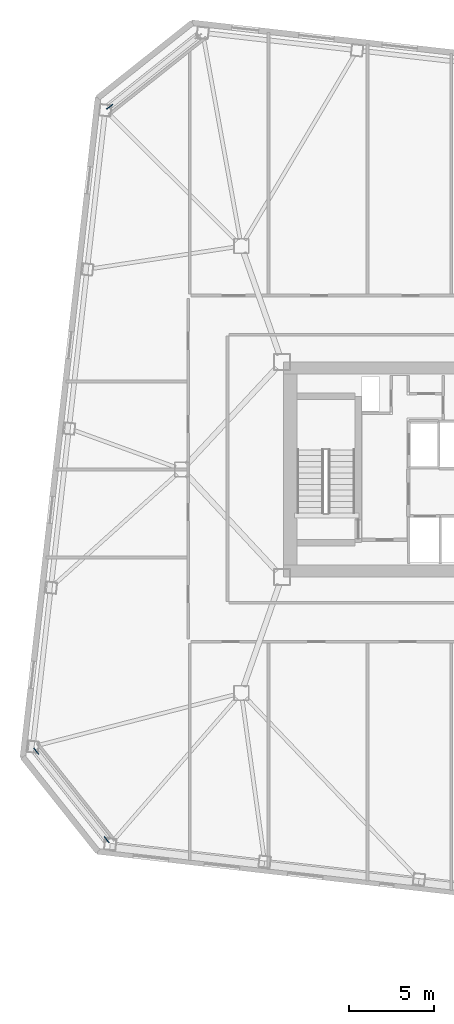
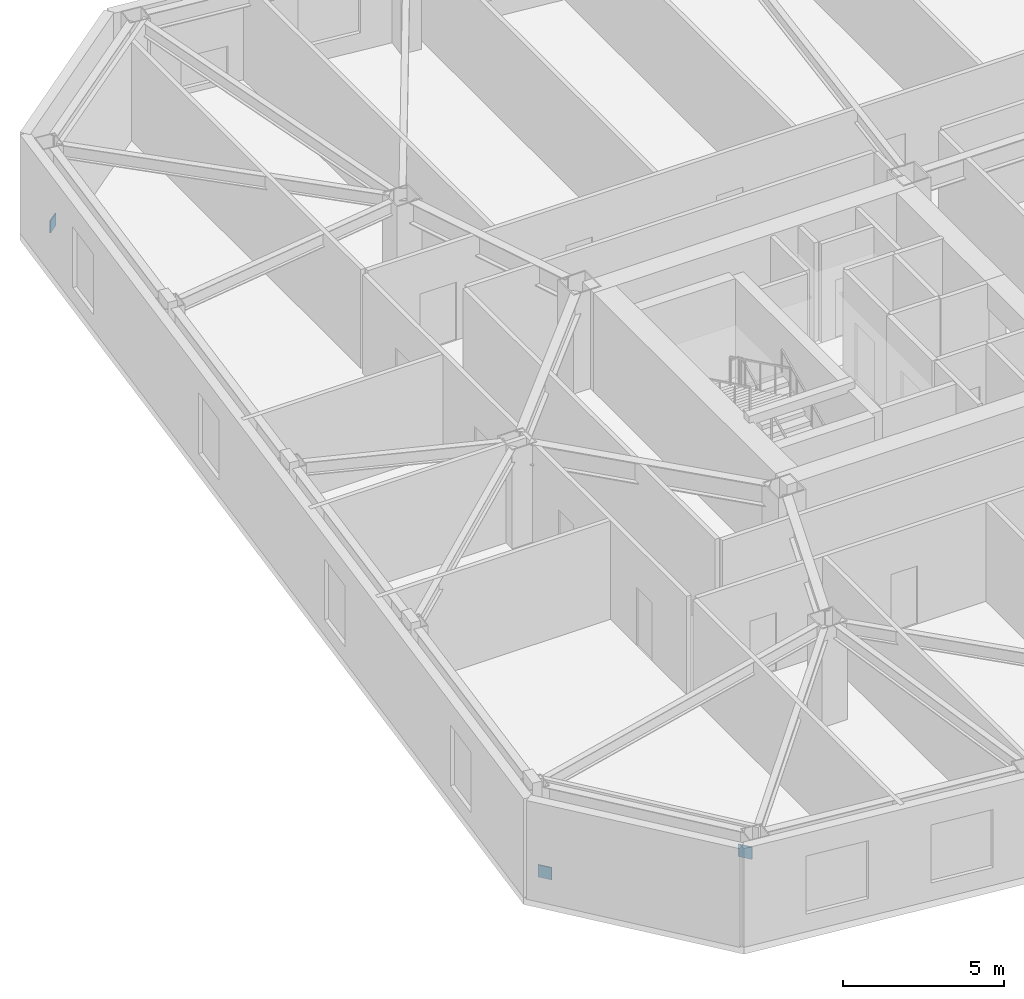
# One storey, part 17 of 21: 3 discrete accessories.
"""IFC4 building model written with IfcOpenShell, lengths in metres."""

from ifc_helpers import new_model, si_unit, direction, frame, origin, origin_2d, place, context, subcontext, project, spatial, rectangle, extrude, material, type_object, element, save


model = new_model("IFC4")

# Units and contexts
model_context = context("Model", 3, precision=1e-05, world=origin(), true_north=direction((0.0, 1.0)))
body_context = subcontext(model_context, "Body", "Model", "MODEL_VIEW")
ifc_project = project(units=[si_unit("LENGTHUNIT", "METRE"), si_unit("AREAUNIT", "SQUARE_METRE"), si_unit("VOLUMEUNIT", "CUBIC_METRE"), si_unit("PLANEANGLEUNIT", "RADIAN"), si_unit("MASSUNIT", "GRAM", prefix="KILO")], contexts=[model_context])

# Site, building, storey
site_placement = place(None, origin())
site = spatial("IfcSite", under=ifc_project, at=site_placement, CompositionType="ELEMENT")
building_placement = place(site_placement, origin())
building = spatial("IfcBuilding", under=site, at=building_placement, Name="Tavrogorsk Clinical Tower", CompositionType="ELEMENT")
storey_placement = place(building_placement, frame((0.0, 0.0, 133.39990234375)))
storey = spatial("IfcBuildingStorey", under=building, at=storey_placement, Name="L30", CompositionType="ELEMENT", Elevation=133.39990234375)

# Discrete accessories
ifc_material = material(Name="Structural steel S440", Category="steel")
discrete_accessory_type = type_object("IfcDiscreteAccessoryType", Name="GussetPlateBracket_25", PredefinedType="BRACKET", material=ifc_material)
for number, where, z_axis, x_axis, name in (
    (1, (-32.27587890625, 21.431884765625, 0.195068359375), (0.0, 0.0, 1.0), (0.782608156852, 0.622514636638, 0.0), "L30 Brace Gusset Plate EXOCRN-L30-3-A"),
    (2, (-36.613037109375, -16.63623046875, 0.195068359375), (0.0, 0.0, 1.0), (0.622514636638, -0.782608156852, 0.0), "L30 Brace Gusset Plate EXOCRN-L30-4-A"),
    (3, (-32.452880859375, -21.866455078125, 2.68505859375), (0.0, 0.0, 1.0), (0.622514636638, -0.782608156852, 0.0), "L30 Brace Gusset Plate EXOCRN-L30-4-B"),
):
    element("IfcDiscreteAccessory", number, at=place(storey_placement, frame(where, z_axis=z_axis, x_axis=x_axis)), inside=storey, type_object=discrete_accessory_type, Name=name, PredefinedType="BRACKET", context=body_context, shape_type="SweptSolid", body=[
        extrude(rectangle(XDim=0.4599609375, YDim=0.0400390625, at=origin_2d()), origin(), (0.0, 0.0, 1.0), 0.4599609375),
    ])

save(model, "model.ifc")
